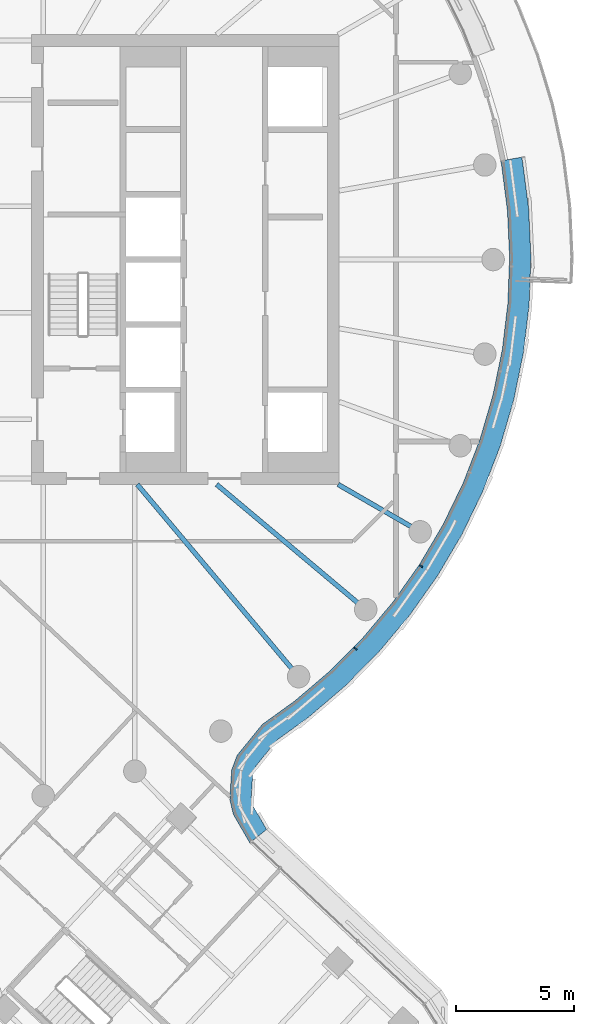
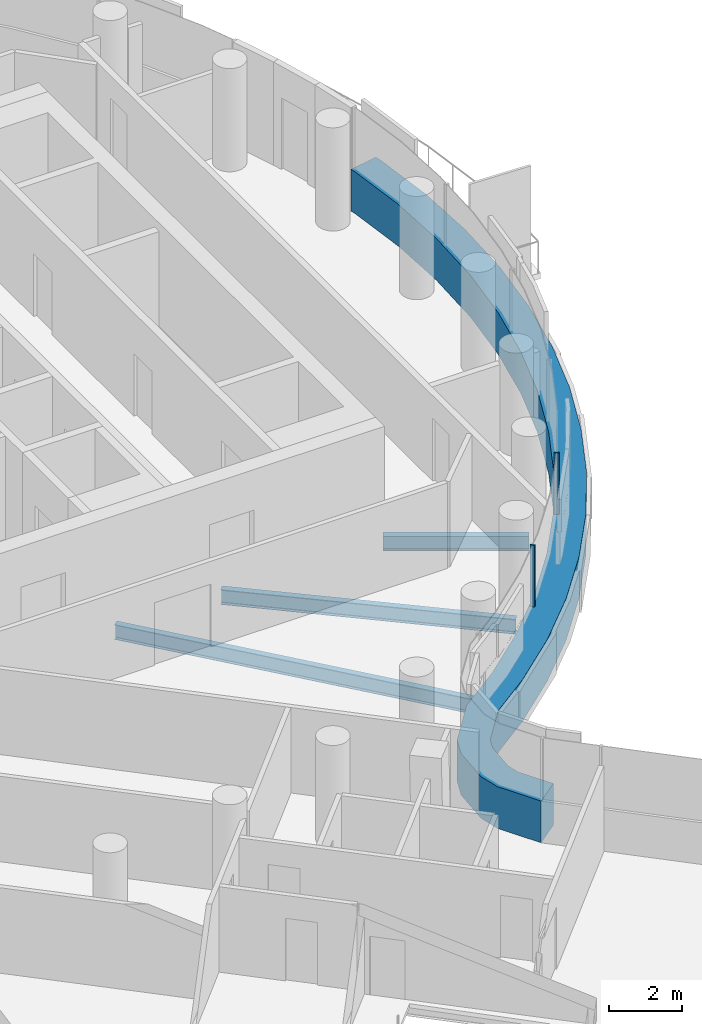
# One storey, part 6 of 30: 3 beams, 3 members, 1 element without a shape of its own.
"""IFC4 building model written with IfcOpenShell, lengths in metres."""

from ifc_helpers import new_model, si_unit, direction, frame, origin, origin_2d, place, context, subcontext, project, spatial, polyline, rectangle, i_section, outline, extrude, material, layer, layer_set, material_profile, profile_set, type_object, element, aggregate, save


model = new_model("IFC4")

# Units and contexts
model_context = context("Model", 3, precision=1e-05, world=origin(), true_north=direction((0.0, 1.0)))
body_context = subcontext(model_context, "Body", "Model", "MODEL_VIEW")
ifc_project = project(units=[si_unit("LENGTHUNIT", "METRE"), si_unit("AREAUNIT", "SQUARE_METRE"), si_unit("VOLUMEUNIT", "CUBIC_METRE"), si_unit("PLANEANGLEUNIT", "RADIAN"), si_unit("MASSUNIT", "GRAM", prefix="KILO")], contexts=[model_context])

# Site, building, storey
site_placement = place(None, origin())
site = spatial("IfcSite", under=ifc_project, at=site_placement, CompositionType="ELEMENT")
building_placement = place(site_placement, origin())
building = spatial("IfcBuilding", under=site, at=building_placement, Name="Tamarind Cross Interchange Tower", CompositionType="ELEMENT")
storey_placement = place(building_placement, frame((0.0, 0.0, 204.10009765625)))
storey = spatial("IfcBuildingStorey", under=building, at=storey_placement, Name="L51", CompositionType="ELEMENT", Elevation=204.10009765625)

# Beams
ifc_material_1 = material(Name="Steel Q355B", Category="steel")
ifc_material_profile_1 = material_profile(ifc_material_1, i_section(OverallWidth=0.198974609375, OverallDepth=0.49609375, WebThickness=0.009033203125, FlangeThickness=0.013916015625, FilletRadius=0.012939453125, at=origin_2d()), Name="HN 496x199x9x14")
ifc_profile_set_1 = profile_set([ifc_material_profile_1], Name="Steel Q355B")
beam_type = type_object("IfcBeamType", Name="Composite beam HN 496x199x9x14 Q355B", PredefinedType="BEAM", material=ifc_profile_set_1)
beam_1_placement = place(storey_placement, frame((14.7841796875, -17.619140625, -0.38818359375), z_axis=(-0.642786293979, 0.766045547127, 0.0), x_axis=(-0.766045547127, -0.642786293979, 0.0)))
element("IfcBeam", 1, at=beam_1_placement, inside=storey, type_object=beam_type, Name="Beam HH31", PredefinedType="BEAM", context=body_context, shape_type="SweptSolid", body=[
    extrude(i_section(OverallWidth=0.198974609375, OverallDepth=0.49609375, WebThickness=0.009033203125, FlangeThickness=0.013916015625, FilletRadius=0.012939453125, at=origin_2d()), origin(), (0.0, 0.0, 1.0), 10.598876953125),
])
beam_2_placement = place(storey_placement, frame((17.619140625, -14.7841796875, -0.38818359375), z_axis=(-0.766040580814, 0.642792212574, 0.0), x_axis=(-0.642792212574, -0.766040580814, 0.0)))
element("IfcBeam", 2, at=beam_2_placement, inside=storey, type_object=beam_type, Name="Beam HH32", PredefinedType="BEAM", context=body_context, shape_type="SweptSolid", body=[
    extrude(i_section(OverallWidth=0.198974609375, OverallDepth=0.49609375, WebThickness=0.009033203125, FlangeThickness=0.013916015625, FilletRadius=0.012939453125, at=origin_2d()), origin(), (0.0, 0.0, 1.0), 8.220703125),
])
beam_3_placement = place(storey_placement, frame((19.918701171875, -11.5, -0.38818359375), z_axis=(-0.866026010844, 0.49999894854, 0.0), x_axis=(-0.49999894854, -0.866026010844, 0.0)))
element("IfcBeam", 3, at=beam_3_placement, inside=storey, type_object=beam_type, Name="Beam HH33", PredefinedType="BEAM", context=body_context, shape_type="SweptSolid", body=[
    extrude(i_section(OverallWidth=0.198974609375, OverallDepth=0.49609375, WebThickness=0.009033203125, FlangeThickness=0.013916015625, FilletRadius=0.012939453125, at=origin_2d()), origin(), (0.0, 0.0, 1.0), 4.0),
])

# Curtain wall, members
ifc_material_2 = material(Name="Aluminium 6063-T6", Category="aluminium")
ifc_layer = layer(ifc_material_2, 0.139892578125)
ifc_layer_set = layer_set([ifc_layer], Name="Aluminium 6063-T6")
curtain_wall_type = type_object("IfcCurtainWallType", Name="Hotel curtain wall, 4.5 m bays", PredefinedType="NOTDEFINED", material=ifc_layer_set)
curtain_wall_placement = place(storey_placement, origin())
curtain_wall = element("IfcCurtainWall", 4, at=curtain_wall_placement, inside=storey, type_object=curtain_wall_type, Name="CWS-L51-06", PredefinedType="NOTDEFINED")
ifc_material_3 = material(Name="Aluminium and insulated spandrel panel", Category="aluminium")
member_type_1 = type_object("IfcMemberType", Name="Floor-edge blade transom", PredefinedType="USERDEFINED", material=ifc_material_3)
member_1_placement = place(storey_placement, origin())
member_1 = element("IfcMember", 5, at=member_1_placement, type_object=member_type_1, Name="CWT-L51-06-0", ObjectType="TRANSOM", PredefinedType="USERDEFINED", context=body_context, shape_type="SweptSolid", body=[
    extrude(outline(polyline([(12.72216796875, -24.63916015625), (12.025634765625, -23.4375), (11.87548828125, -22.796630859375), (11.9560546875, -21.55908203125), (12.189697265625, -20.939208984375), (13.248779296875, -19.636474609375), (14.634521484375, -18.636474609375), (16.12353515625, -17.3642578125), (17.50244140625, -15.973388671875), (18.76171875, -14.4736328125), (19.892822265625, -12.874755859375), (20.88818359375, -11.188232421875), (21.74072265625, -9.425048828125), (22.444580078125, -7.597412109375), (22.995361328125, -5.718017578125), (23.38916015625, -3.799560546875), (23.623046875, -1.855224609375), (23.695556640625, 0.10205078125), (23.606201171875, 2.058349609375), (23.35546875, 4.000732421875), (23.31982421875, 4.167236328125), (24.206298828125, 4.32568359375), (24.243408203125, 4.15283203125), (24.50341796875, 2.13671875), (24.59619140625, 0.10595703125), (24.52099609375, -1.925537109375), (24.2783203125, -3.944091796875), (23.86962890625, -5.935302734375), (23.2978515625, -7.88623046875), (22.567138671875, -9.783203125), (21.68212890625, -11.613525390625), (20.64892578125, -13.3642578125), (19.474853515625, -15.023681640625), (18.167724609375, -16.580810546875), (16.736572265625, -18.0244140625), (15.19091796875, -19.3447265625), (13.871826171875, -20.296630859375), (12.980224609375, -21.3935546875), (12.845458984375, -21.751220703125), (12.7822265625, -22.7216796875), (12.871337890625, -23.10205078125), (13.434814453125, -24.07373046875), (12.72216796875, -24.63916015625)])), origin(), (0.0, 0.0, 1.0), 1.39990234375),
])
ifc_material_profile_2 = material_profile(ifc_material_2, rectangle(XDim=0.06005859375, YDim=0.139892578125, at=origin_2d()), Name="Mullion CW2")
ifc_profile_set_2 = profile_set([ifc_material_profile_2], Name="Aluminium 6063-T6")
member_type_2 = type_object("IfcMemberType", Name="Mullion CW2", PredefinedType="MULLION", material=ifc_profile_set_2)
member_2_placement = place(storey_placement, frame((17.182373046875, -16.438232421875, 1.39990234375), z_axis=(0.0, 0.0, 1.0), x_axis=(0.704057148523, 0.710143317658, 0.0)))
member_2 = element("IfcMember", 6, at=member_2_placement, type_object=member_type_2, Name="CWM-L51-06-02", PredefinedType="MULLION", context=body_context, shape_type="SweptSolid", body=[
    extrude(rectangle(XDim=0.06005859375, YDim=0.139892578125, at=origin_2d()), origin(), (0.0, 0.0, 1.0), 2.06005859375),
])
member_3_placement = place(storey_placement, frame((19.9619140625, -12.950439453125, 1.39990234375), z_axis=(0.0, 0.0, 1.0), x_axis=(0.577568978284, 0.816341886298, 0.0)))
member_3 = element("IfcMember", 7, at=member_3_placement, type_object=member_type_2, Name="CWM-L51-06-03", PredefinedType="MULLION", context=body_context, shape_type="SweptSolid", body=[
    extrude(rectangle(XDim=0.06005859375, YDim=0.139892578125, at=origin_2d()), origin(), (0.0, 0.0, 1.0), 2.06005859375),
])
aggregate(curtain_wall, [member_2, member_3, member_1])

save(model, "model.ifc")
